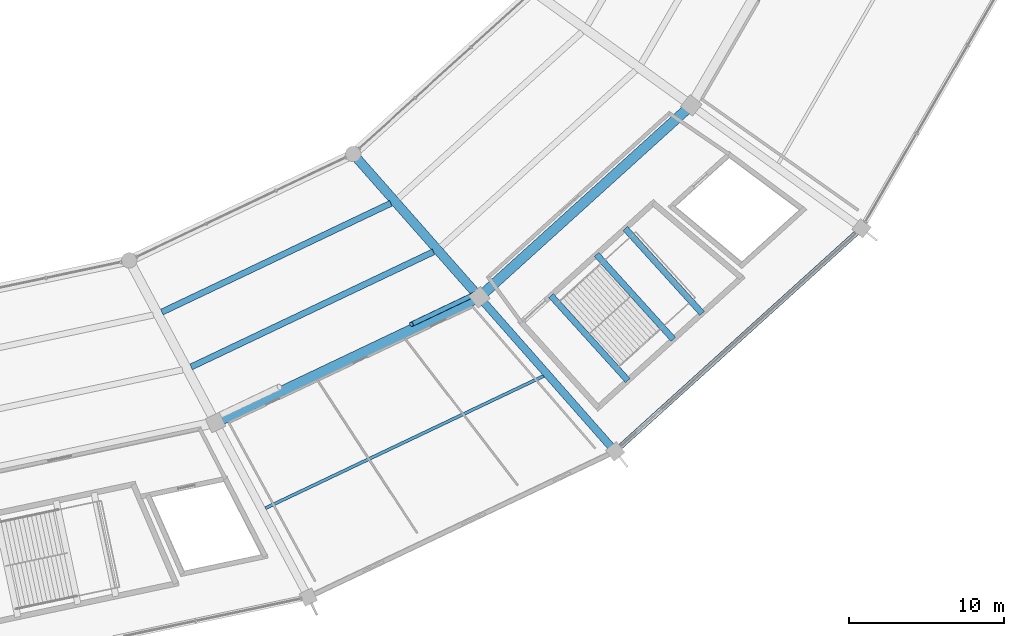
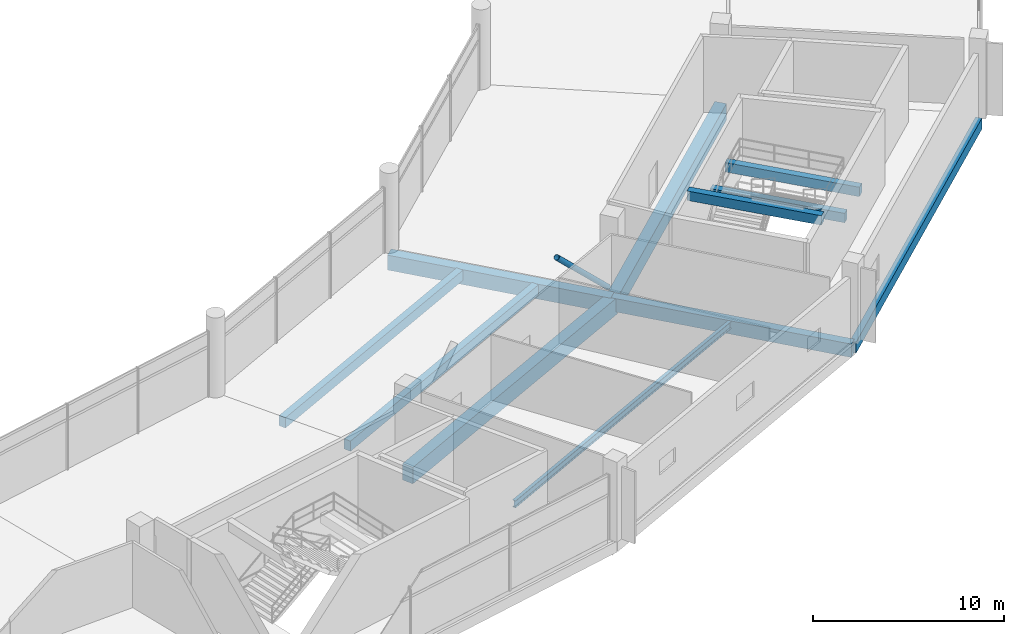
# One storey, part 65 of 184: 11 beams, 1 member.
"""IFC4 building model written with IfcOpenShell, lengths in metres."""

from ifc_helpers import new_model, si_unit, direction, frame, origin, origin_2d, place, context, subcontext, project, spatial, rectangle, hollow_circle, i_section, extrude, material, material_profile, profile_set, type_object, element, save


model = new_model("IFC4")

# Units and contexts
model_context = context("Model", 3, precision=1e-05, world=origin(), true_north=direction((0.0, 1.0)))
body_context = subcontext(model_context, "Body", "Model", "MODEL_VIEW")
ifc_project = project(units=[si_unit("LENGTHUNIT", "METRE"), si_unit("AREAUNIT", "SQUARE_METRE"), si_unit("VOLUMEUNIT", "CUBIC_METRE"), si_unit("PLANEANGLEUNIT", "RADIAN"), si_unit("MASSUNIT", "GRAM", prefix="KILO")], contexts=[model_context])

# Site, building, storey
site_placement = place(None, origin())
site = spatial("IfcSite", under=ifc_project, at=site_placement, CompositionType="ELEMENT")
building_placement = place(site_placement, origin())
building = spatial("IfcBuilding", under=site, at=building_placement, Name="Kazemori Nagisa Stadium", CompositionType="ELEMENT")
storey_placement = place(building_placement, frame((0.0, 0.0, 10.5400390625)))
storey = spatial("IfcBuildingStorey", under=building, at=storey_placement, Name="L02", CompositionType="ELEMENT", Elevation=10.5400390625)

# Beams
ifc_material_1 = material(Name="Concrete C40/50 (Fc42)", Category="concrete")
ifc_material_profile_1 = material_profile(ifc_material_1, rectangle(XDim=0.39990234375, YDim=0.60009765625, at=origin_2d()), Name="RC-BM-400x600")
ifc_profile_set_1 = profile_set([ifc_material_profile_1], Name="Concrete C40/50 (Fc42)")
beam_type_1 = type_object("IfcBeamType", Name="Beam_BG-LND400X600", PredefinedType="BEAM", material=ifc_profile_set_1)
beam_1_placement = place(storey_placement, frame((184.392578125, 43.644287109375, 2.050048828125), z_axis=(0.671113236271, -0.74135485707, 0.0), x_axis=(0.74135485707, 0.671113236271, 0.0)))
element("IfcBeam", 1, at=beam_1_placement, inside=storey, type_object=beam_type_1, Name="Core stair mid-landing girder ST04-L02-1", PredefinedType="BEAM", context=body_context, shape_type="SweptSolid", body=[
    extrude(rectangle(XDim=0.39990234375, YDim=0.60009765625, at=origin_2d()), origin(), (0.0, 0.0, 1.0), 7.385986328125),
])
beam_2_placement = place(storey_placement, frame((186.24609375, 45.322021484375, 2.050048828125), z_axis=(0.67111151489, -0.741356415351, 0.0), x_axis=(0.741356415351, 0.67111151489, 0.0)))
element("IfcBeam", 2, at=beam_2_placement, inside=storey, type_object=beam_type_1, Name="Core stair mid-landing girder ST04-L02-2", PredefinedType="BEAM", context=body_context, shape_type="SweptSolid", body=[
    extrude(rectangle(XDim=0.39990234375, YDim=0.60009765625, at=origin_2d()), origin(), (0.0, 0.0, 1.0), 7.385498046875),
])
beam_3_placement = place(storey_placement, frame((181.456787109375, 40.98681640625, 4.5400390625), z_axis=(0.671113236271, -0.74135485707, 0.0), x_axis=(0.74135485707, 0.671113236271, 0.0)))
element("IfcBeam", 3, at=beam_3_placement, inside=storey, type_object=beam_type_1, Name="Core stair arrival header girder ST04-L02", PredefinedType="BEAM", context=body_context, shape_type="SweptSolid", body=[
    extrude(rectangle(XDim=0.39990234375, YDim=0.60009765625, at=origin_2d()), origin(), (0.0, 0.0, 1.0), 7.385986328125),
])
ifc_material_profile_2 = material_profile(ifc_material_1, rectangle(XDim=0.5, YDim=0.85009765625, at=origin_2d()), Name="RC-BM-500x850")
ifc_profile_set_2 = profile_set([ifc_material_profile_2], Name="Concrete C40/50 (Fc42)")
beam_type_2 = type_object("IfcBeamType", Name="Beam_BG-RC500X850", PredefinedType="BEAM", material=ifc_profile_set_2)
beam_4_placement = place(storey_placement, frame((176.834228515625, 40.88916015625, -0.68505859375), z_axis=(0.661019680997, -0.750368563664, 0.0), x_axis=(0.750368563664, 0.661019680997, 0.0)))
element("IfcBeam", 4, at=beam_4_placement, inside=storey, type_object=beam_type_2, Name="Radial girder BG-RC500X850 L02 R2-R3-25", PredefinedType="BEAM", context=body_context, shape_type="SweptSolid", body=[
    extrude(rectangle(XDim=0.5, YDim=0.85009765625, at=origin_2d()), origin(), (0.0, 0.0, 1.0), 13.2578125),
])
ifc_material_profile_3 = material_profile(ifc_material_1, rectangle(XDim=0.60009765625, YDim=0.949951171875, at=origin_2d()), Name="RC-BM-600x950")
ifc_profile_set_3 = profile_set([ifc_material_profile_3], Name="Concrete C40/50 (Fc42)")
beam_type_3 = type_object("IfcBeamType", Name="Beam_BG-RC600X950", PredefinedType="BEAM", material=ifc_profile_set_3)
beam_5_placement = place(storey_placement, frame((168.696533203125, 50.126953125, -0.735107421875), z_axis=(0.66101406015, -0.75037351518, 0.0), x_axis=(0.75037351518, 0.66101406015, 0.0)))
element("IfcBeam", 5, at=beam_5_placement, inside=storey, type_object=beam_type_3, Name="Radial girder BG-RC600X950 L02 R1-R2-25", PredefinedType="BEAM", context=body_context, shape_type="SweptSolid", body=[
    extrude(rectangle(XDim=0.60009765625, YDim=0.949951171875, at=origin_2d()), origin(), (0.0, 0.0, 1.0), 12.31103515625),
])
ifc_material_profile_4 = material_profile(ifc_material_1, rectangle(XDim=0.64990234375, YDim=1.050048828125, at=origin_2d()), Name="RC-BM-650x1050")
ifc_profile_set_4 = profile_set([ifc_material_profile_4], Name="Concrete C40/50 (Fc42)")
beam_type_4 = type_object("IfcBeamType", Name="Beam_BG-RC650X1050", PredefinedType="BEAM", material=ifc_profile_set_4)
beam_6_placement = place(storey_placement, frame((159.81201171875, 32.80078125, -0.78515625), z_axis=(0.90321938295, 0.42917915404, 0.0), x_axis=(-0.42917915404, 0.90321938295, 0.0)))
element("IfcBeam", 6, at=beam_6_placement, inside=storey, type_object=beam_type_4, Name="Ring girder BG-RC650X1050 L02 R2-24", PredefinedType="BEAM", context=body_context, shape_type="SweptSolid", body=[
    extrude(rectangle(XDim=0.64990234375, YDim=1.050048828125, at=origin_2d()), origin(), (0.0, 0.0, 1.0), 18.84619140625),
])
beam_7_placement = place(storey_placement, frame((176.834228515625, 40.88916015625, -0.78515625), z_axis=(0.741349142139, 0.671119549298, 0.0), x_axis=(-0.671119549298, 0.741349142139, 0.0)))
element("IfcBeam", 7, at=beam_7_placement, inside=storey, type_object=beam_type_4, Name="Ring girder BG-RC650X1050 L02 R2-25", PredefinedType="BEAM", context=body_context, shape_type="SweptSolid", body=[
    extrude(rectangle(XDim=0.64990234375, YDim=1.050048828125, at=origin_2d()), origin(), (0.0, 0.0, 1.0), 18.44189453125),
])
ifc_material_2 = material(Name="Steel SN490B", Category="steel")
ifc_material_profile_5 = material_profile(ifc_material_2, i_section(OverallWidth=0.199951171875, OverallDepth=0.449951171875, WebThickness=0.009033203125, FlangeThickness=0.013916015625, FilletRadius=0.012939453125, at=origin_2d()), Name="H-450x200x9x14")
ifc_profile_set_5 = profile_set([ifc_material_profile_5], Name="Steel SN490B")
beam_type_5 = type_object("IfcBeamType", Name="Beam_BJ-H450", PredefinedType="JOIST", material=ifc_profile_set_5)
beam_8_placement = place(storey_placement, frame((163.02978515625, 27.2734375, -0.485107421875), z_axis=(0.903215058486, 0.429188254876, 0.0), x_axis=(-0.429188254876, 0.903215058486, 0.0)))
element("IfcBeam", 8, at=beam_8_placement, inside=storey, type_object=beam_type_5, Name="Outer bay joist BJ-H450 L02 B24", PredefinedType="JOIST", context=body_context, shape_type="SweptSolid", body=[
    extrude(i_section(OverallWidth=0.199951171875, OverallDepth=0.449951171875, WebThickness=0.009033203125, FlangeThickness=0.013916015625, FilletRadius=0.012939453125, at=origin_2d()), origin(), (0.0, 0.0, 1.0), 19.89013671875),
])
ifc_material_profile_6 = material_profile(ifc_material_1, rectangle(XDim=0.39990234375, YDim=0.64990234375, at=origin_2d()), Name="RC-BM-400x650")
ifc_profile_set_6 = profile_set([ifc_material_profile_6], Name="Concrete C40/50 (Fc42)")
beam_type_6 = type_object("IfcBeamType", Name="Beam_BJ-RC400X650", PredefinedType="JOIST", material=ifc_profile_set_6)
beam_9_placement = place(storey_placement, frame((156.3544921875, 39.927734375, -0.5849609375), z_axis=(0.903215717065, 0.429186868912, 0.0), x_axis=(-0.429186868912, 0.903215717065, 0.0)))
element("IfcBeam", 9, at=beam_9_placement, inside=storey, type_object=beam_type_6, Name="Concourse joist BJ-RC400X650 L02 B24-1", PredefinedType="JOIST", context=body_context, shape_type="SweptSolid", body=[
    extrude(rectangle(XDim=0.39990234375, YDim=0.64990234375, at=origin_2d()), origin(), (0.0, 0.0, 1.0), 16.349609375),
])
beam_10_placement = place(storey_placement, frame((158.23779296875, 36.38720703125, -0.5849609375), z_axis=(0.903215468459, 0.429187392099, 0.0), x_axis=(-0.429187392099, 0.903215468459, 0.0)))
element("IfcBeam", 10, at=beam_10_placement, inside=storey, type_object=beam_type_6, Name="Concourse joist BJ-RC400X650 L02 B24-2", PredefinedType="JOIST", context=body_context, shape_type="SweptSolid", body=[
    extrude(rectangle(XDim=0.39990234375, YDim=0.64990234375, at=origin_2d()), origin(), (0.0, 0.0, 1.0), 17.31396484375),
])
ifc_material_profile_7 = material_profile(ifc_material_1, rectangle(XDim=0.35009765625, YDim=0.699951171875, at=origin_2d()), Name="RC-SP-350x700")
ifc_profile_set_7 = profile_set([ifc_material_profile_7], Name="Concrete C40/50 (Fc42)")
beam_type_7 = type_object("IfcBeamType", Name="Beam_BS-RC350X700", PredefinedType="SPANDREL", material=ifc_profile_set_7)
beam_11_placement = place(storey_placement, frame((185.597900390625, 30.94091796875, -0.610107421875), z_axis=(0.741351531326, 0.671116910084, 0.0), x_axis=(-0.671116910084, 0.741351531326, 0.0)))
element("IfcBeam", 11, at=beam_11_placement, inside=storey, type_object=beam_type_7, Name="Ring girder BS-RC350X700 L02 R3-25", PredefinedType="SPANDREL", context=body_context, shape_type="SweptSolid", body=[
    extrude(rectangle(XDim=0.35009765625, YDim=0.699951171875, at=origin_2d()), origin(), (0.0, 0.0, 1.0), 21.44384765625),
])

# Member
ifc_material_3 = material(Name="Steel STK490", Category="steel")
ifc_material_profile_8 = material_profile(ifc_material_3, hollow_circle(Radius=0.1591796875, WallThickness=0.01025390625, at=origin_2d()), Name="CHS-318.5x10.3")
ifc_profile_set_8 = profile_set([ifc_material_profile_8], Name="Steel STK490")
member_type = type_object("IfcMemberType", Name="Member_TB-CHS318", PredefinedType="BRACE", material=ifc_profile_set_8)
member_placement = place(storey_placement, frame((176.70556640625, 41.16015625, 0.14990234375), z_axis=(-0.64627901954, -0.30706688313, 0.698593843508), x_axis=(0.429152995666, -0.903231812057, 0.0)))
element("IfcMember", 12, at=member_placement, inside=storey, type_object=member_type, Name="Seismic brace TB-CHS318 L02 B24-B", PredefinedType="BRACE", context=body_context, shape_type="SweptSolid", body=[
    extrude(hollow_circle(Radius=0.1591796875, WallThickness=0.01025390625, at=origin_2d()), origin(), (0.0, 0.0, 1.0), 6.584716796875),
])

save(model, "model.ifc")
